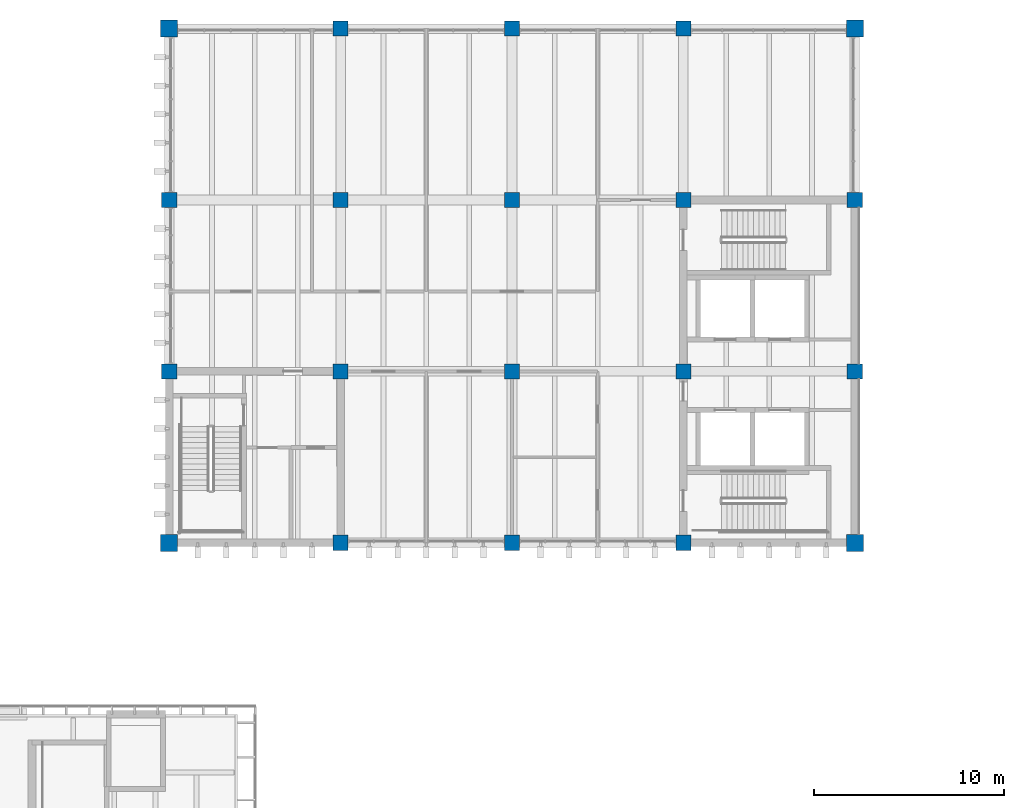
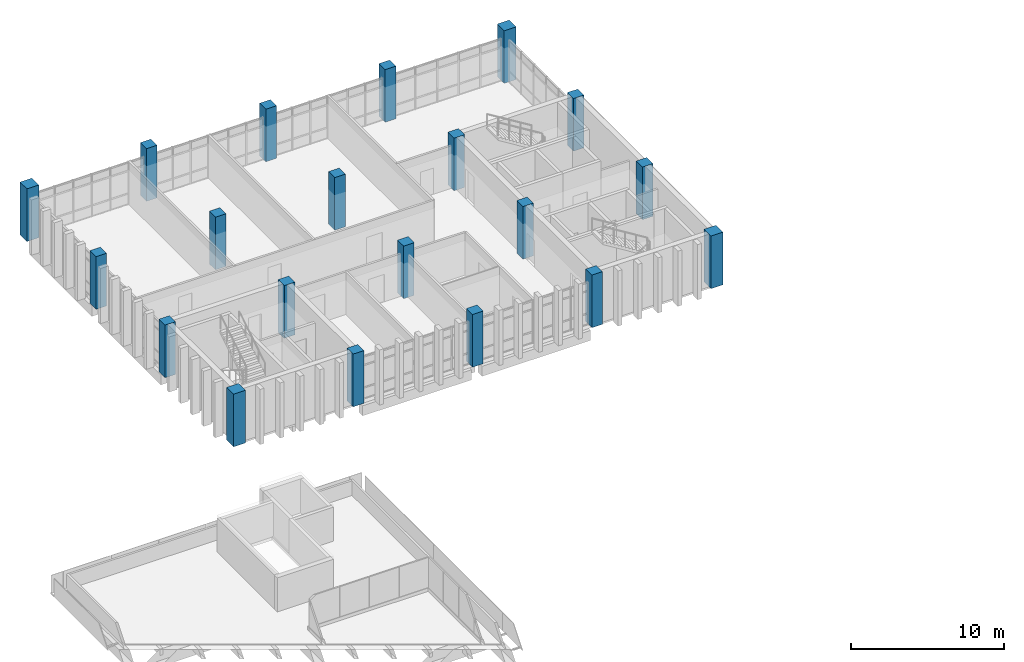
# One storey, part 1 of 29: 20 columns.
"""IFC4 building model written with IfcOpenShell, lengths in metres."""

from ifc_helpers import new_model, si_unit, direction, frame, origin, origin_2d, place, context, subcontext, project, spatial, rectangle, extrude, material, material_profile, profile_set, type_object, element, save


model = new_model("IFC4")

# Units and contexts
model_context = context("Model", 3, precision=1e-05, world=origin(), true_north=direction((0.0, 1.0)))
body_context = subcontext(model_context, "Body", "Model", "MODEL_VIEW")
ifc_project = project(units=[si_unit("LENGTHUNIT", "METRE"), si_unit("AREAUNIT", "SQUARE_METRE"), si_unit("VOLUMEUNIT", "CUBIC_METRE"), si_unit("PLANEANGLEUNIT", "RADIAN"), si_unit("MASSUNIT", "GRAM", prefix="KILO")], contexts=[model_context])

# Site, building, storey
site_placement = place(None, origin())
site = spatial("IfcSite", under=ifc_project, at=site_placement, CompositionType="ELEMENT")
building_placement = place(site_placement, origin())
building = spatial("IfcBuilding", under=site, at=building_placement, Name="Merrow Basin Faculty of Sciences", CompositionType="ELEMENT")
storey_placement = place(building_placement, frame((0.0, 0.0, 22.5)))
storey = spatial("IfcBuildingStorey", under=building, at=storey_placement, Name="L05", CompositionType="ELEMENT", Elevation=22.5)

# Columns
ifc_material_1 = material(Name="Concrete C50/60", Category="concrete")
ifc_material_profile_1 = material_profile(ifc_material_1, rectangle(XDim=0.800048828125, YDim=0.800048828125, at=origin_2d()))
ifc_profile_set_1 = profile_set([ifc_material_profile_1], Name="Concrete C50/60")
column_type_1 = type_object("IfcColumnType", Name="Column RC800x800 C50/60", PredefinedType="COLUMN", material=ifc_profile_set_1)
for number, where, z_axis, x_axis, name in (
    (1, (18.0, 151.0, 0.0), (0.0, 0.0, 1.0), (1.0, 0.0, 0.0), "Column S14 L05"),
    (2, (18.0, 160.0, 0.0), (0.0, 0.0, 1.0), (1.0, 0.0, 0.0), "Column S15 L05"),
    (3, (27.0, 142.0, 0.0), (0.0, 0.0, 1.0), (1.0, 0.0, 0.0), "Column D13 L05"),
    (4, (27.0, 151.0, 0.0), (0.0, 0.0, 1.0), (1.0, 0.0, 0.0), "Column D14 L05"),
    (5, (27.0, 160.0, 0.0), (0.0, 0.0, 1.0), (1.0, 0.0, 0.0), "Column D15 L05"),
    (6, (27.0, 169.0, 0.0), (0.0, 0.0, 1.0), (1.0, 0.0, 0.0), "Column D16 L05"),
    (7, (36.0, 142.0, 0.0), (0.0, 0.0, 1.0), (1.0, 0.0, 0.0), "Column E13 L05"),
    (8, (36.0, 151.0, 0.0), (0.0, 0.0, 1.0), (1.0, 0.0, 0.0), "Column E14 L05"),
    (9, (36.0, 160.0, 0.0), (0.0, 0.0, 1.0), (1.0, 0.0, 0.0), "Column E15 L05"),
    (10, (36.0, 169.0, 0.0), (0.0, 0.0, 1.0), (1.0, 0.0, 0.0), "Column E16 L05"),
    (11, (45.0, 142.0, 0.0), (0.0, 0.0, 1.0), (1.0, 0.0, 0.0), "Column F13 L05"),
    (12, (45.0, 151.0, 0.0), (0.0, 0.0, 1.0), (1.0, 0.0, 0.0), "Column F14 L05"),
    (13, (45.0, 160.0, 0.0), (0.0, 0.0, 1.0), (1.0, 0.0, 0.0), "Column F15 L05"),
    (14, (45.0, 169.0, 0.0), (0.0, 0.0, 1.0), (1.0, 0.0, 0.0), "Column F16 L05"),
    (15, (54.0, 151.0, 0.0), (0.0, 0.0, 1.0), (1.0, 0.0, 0.0), "Column G14 L05"),
    (16, (54.0, 160.0, 0.0), (0.0, 0.0, 1.0), (1.0, 0.0, 0.0), "Column G15 L05"),
):
    element("IfcColumn", number, at=place(storey_placement, frame(where, z_axis=z_axis, x_axis=x_axis)), inside=storey, type_object=column_type_1, Name=name, PredefinedType="COLUMN", context=body_context, shape_type="SweptSolid", body=[
        extrude(rectangle(XDim=0.800048828125, YDim=0.800048828125, at=origin_2d()), origin(), (0.0, 0.0, 1.0), 4.199951171875),
    ])
ifc_material_2 = material(Name="Concrete C50/60", Category="concrete")
ifc_material_profile_2 = material_profile(ifc_material_2, rectangle(XDim=0.89990234375, YDim=0.89990234375, at=origin_2d()))
ifc_profile_set_2 = profile_set([ifc_material_profile_2], Name="Concrete C50/60")
column_type_2 = type_object("IfcColumnType", Name="Column RC900x900 C50/60", PredefinedType="COLUMN", material=ifc_profile_set_2)
for number, where, z_axis, x_axis, name in (
    (17, (18.0, 142.0, 0.0), (0.0, 0.0, 1.0), (1.0, 0.0, 0.0), "Column S13 L05"),
    (18, (18.0, 169.0, 0.0), (0.0, 0.0, 1.0), (1.0, 0.0, 0.0), "Column S16 L05"),
    (19, (54.0, 142.0, 0.0), (0.0, 0.0, 1.0), (1.0, 0.0, 0.0), "Column G13 L05"),
    (20, (54.0, 169.0, 0.0), (0.0, 0.0, 1.0), (1.0, 0.0, 0.0), "Column G16 L05"),
):
    element("IfcColumn", number, at=place(storey_placement, frame(where, z_axis=z_axis, x_axis=x_axis)), inside=storey, type_object=column_type_2, Name=name, PredefinedType="COLUMN", context=body_context, shape_type="SweptSolid", body=[
        extrude(rectangle(XDim=0.89990234375, YDim=0.89990234375, at=origin_2d()), origin(), (0.0, 0.0, 1.0), 4.199951171875),
    ])

save(model, "model.ifc")
